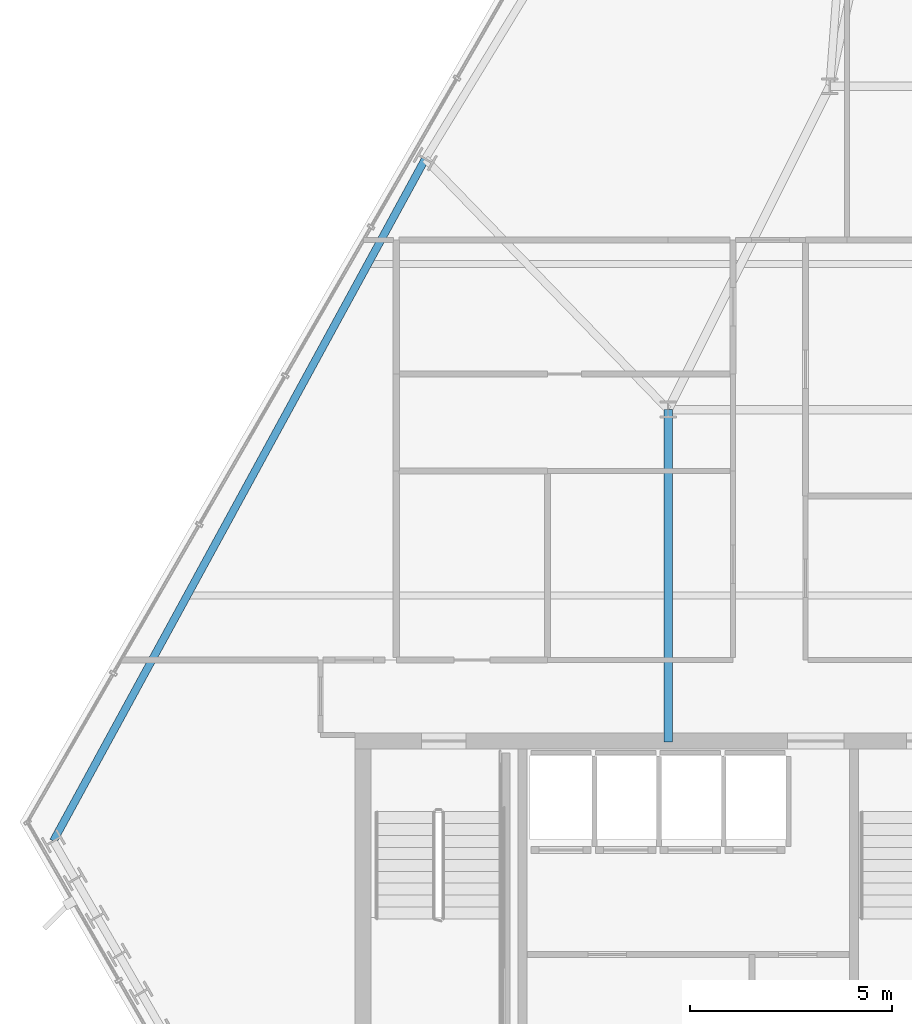
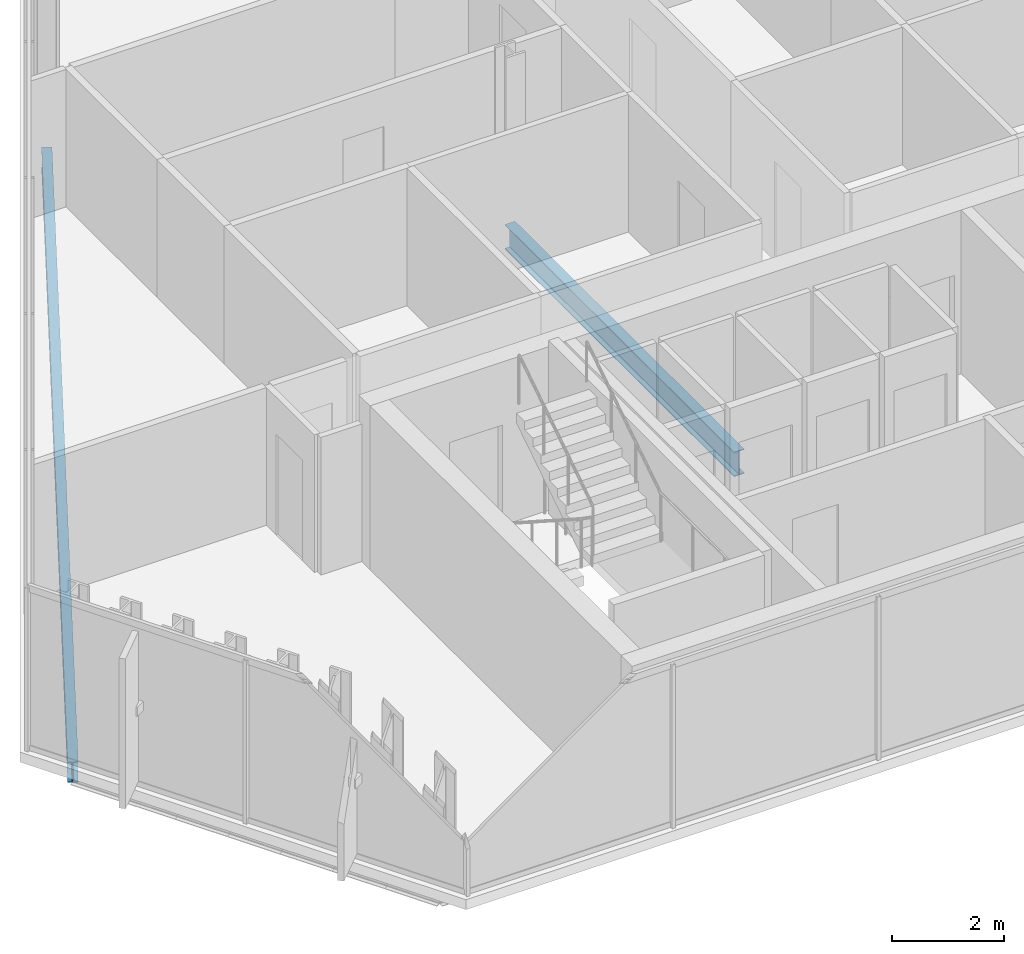
# One storey, part 5 of 34: 2 beams.
"""IFC4 building model written with IfcOpenShell, lengths in metres."""

from ifc_helpers import new_model, si_unit, direction, frame, origin, origin_2d, place, context, subcontext, project, spatial, i_section, extrude, material, material_profile, profile_set, type_object, element, save


model = new_model("IFC4")

# Units and contexts
model_context = context("Model", 3, precision=1e-05, world=origin(), true_north=direction((0.0, 1.0)))
body_context = subcontext(model_context, "Body", "Model", "MODEL_VIEW")
ifc_project = project(units=[si_unit("LENGTHUNIT", "METRE"), si_unit("AREAUNIT", "SQUARE_METRE"), si_unit("VOLUMEUNIT", "CUBIC_METRE"), si_unit("PLANEANGLEUNIT", "RADIAN"), si_unit("MASSUNIT", "GRAM", prefix="KILO")], contexts=[model_context])

# Site, building, storey
site_placement = place(None, origin())
site = spatial("IfcSite", under=ifc_project, at=site_placement, CompositionType="ELEMENT")
building_placement = place(site_placement, origin())
building = spatial("IfcBuilding", under=site, at=building_placement, Name="Ndaravel Arena Tower", CompositionType="ELEMENT")
storey_placement = place(building_placement, frame((0.0, 0.0, 195.39990234375)))
storey = spatial("IfcBuildingStorey", under=building, at=storey_placement, Name="L47", CompositionType="ELEMENT", Elevation=195.39990234375)

# Beams
ifc_material_1 = material(Name="Steel S355", Category="steel")
ifc_material_profile_1 = material_profile(ifc_material_1, i_section(OverallWidth=0.210693359375, OverallDepth=0.53955078125, WebThickness=0.01171875, FlangeThickness=0.018798828125, FilletRadius=0.0126953125, at=origin_2d()), Name="UB 533x210x109")
ifc_profile_set_1 = profile_set([ifc_material_profile_1], Name="Steel S355")
beam_type_1 = type_object("IfcBeamType", Name="BM-GIRD-UB533", PredefinedType="BEAM", material=ifc_profile_set_1)
beam_1_placement = place(storey_placement, frame((34.199951171875, 14.97998046875, -0.489501953125), z_axis=(0.0, 1.0, 0.0), x_axis=(-1.0, 0.0, 0.0)))
element("IfcBeam", 1, at=beam_1_placement, inside=storey, type_object=beam_type_1, Name="L47 Spine Link Girder SLG-01", PredefinedType="BEAM", context=body_context, shape_type="SweptSolid", body=[
    extrude(i_section(OverallWidth=0.210693359375, OverallDepth=0.53955078125, WebThickness=0.01171875, FlangeThickness=0.018798828125, FilletRadius=0.0126953125, at=origin_2d()), origin(), (0.0, 0.0, 1.0), 8.219970703125),
])
ifc_material_2 = material(Name="Steel S355", Category="steel")
ifc_material_profile_2 = material_profile(ifc_material_2, i_section(OverallWidth=0.18994140625, OverallDepth=0.449951171875, WebThickness=0.009521484375, FlangeThickness=0.0146484375, FilletRadius=0.02099609375, at=origin_2d()), Name="IPE 450")
ifc_profile_set_2 = profile_set([ifc_material_profile_2], Name="Steel S355")
beam_type_2 = type_object("IfcBeamType", Name="BM-SPAN-IPE450", PredefinedType="SPANDREL", material=ifc_profile_set_2)
beam_2_placement = place(storey_placement, frame((28.189697265625, 29.400146484375, -0.44482421875), z_axis=(-0.478681253649, -0.877988756992, 0.0), x_axis=(0.877988756992, -0.478681253649, 0.0)))
element("IfcBeam", 2, at=beam_2_placement, inside=storey, type_object=beam_type_2, Name="L47 Perimeter Spandrel Beam SP-19", PredefinedType="SPANDREL", context=body_context, shape_type="SweptSolid", body=[
    extrude(i_section(OverallWidth=0.18994140625, OverallDepth=0.449951171875, WebThickness=0.009521484375, FlangeThickness=0.0146484375, FilletRadius=0.02099609375, at=origin_2d()), origin(), (0.0, 0.0, 1.0), 19.220947265625),
])

save(model, "model.ifc")
